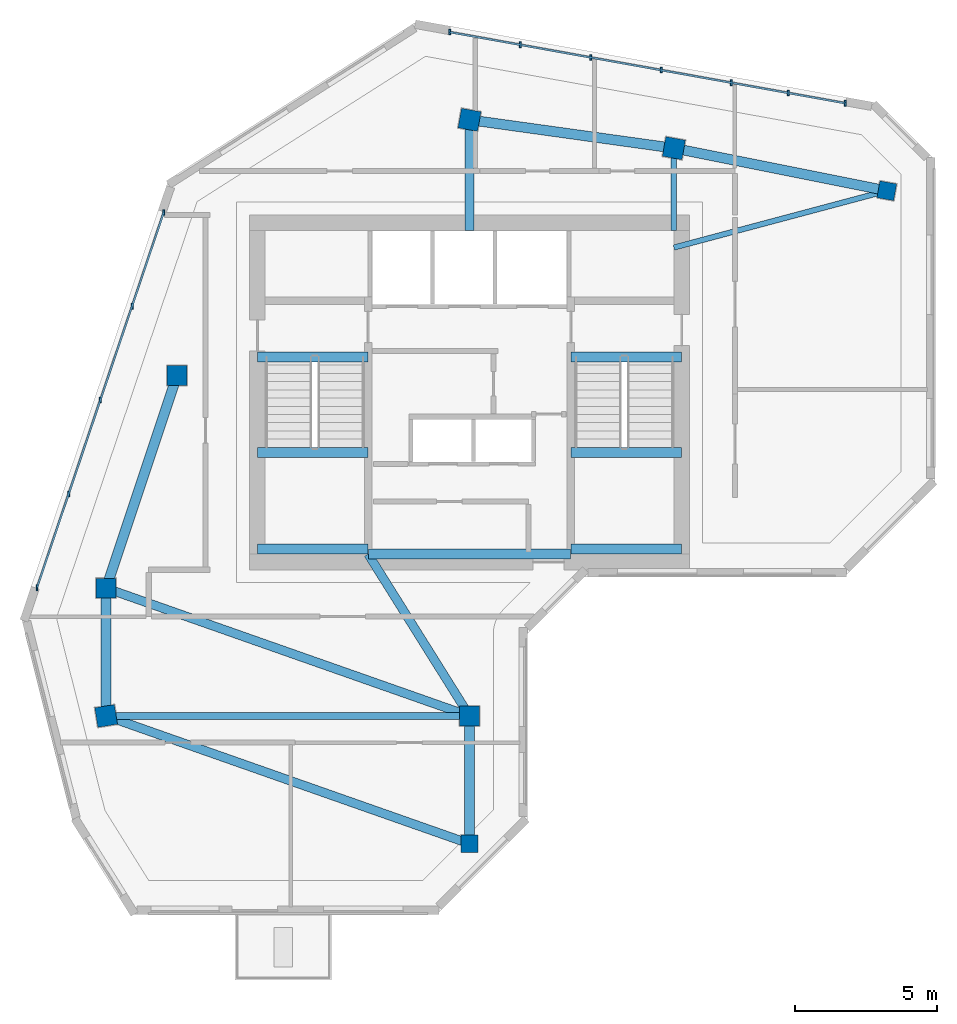
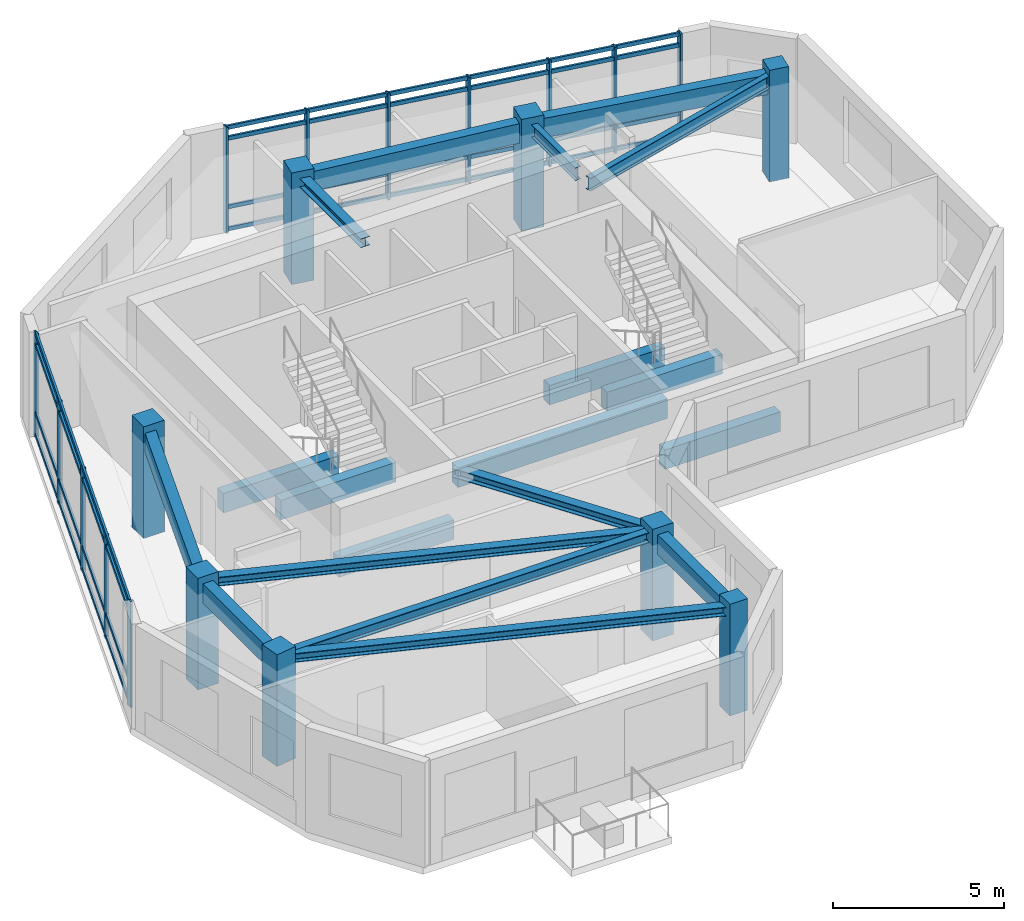
# One storey, part 1 of 8: 20 members, 19 beams, 8 columns, 2 elements without a shape of their own.
"""IFC4 building model written with IfcOpenShell, lengths in metres."""

from ifc_helpers import new_model, si_unit, direction, frame, origin, origin_2d, place, context, subcontext, project, spatial, rectangle, i_section, extrude, source, transform, mapped, material, material_profile, profile_set, type_object, element, aggregate, save


model = new_model("IFC4")

# Units and contexts
model_context = context("Model", 3, precision=1e-05, world=origin(), true_north=direction((0.0, 1.0)))
body_context = subcontext(model_context, "Body", "Model", "MODEL_VIEW")
ifc_project = project(units=[si_unit("LENGTHUNIT", "METRE"), si_unit("AREAUNIT", "SQUARE_METRE"), si_unit("VOLUMEUNIT", "CUBIC_METRE"), si_unit("PLANEANGLEUNIT", "RADIAN"), si_unit("MASSUNIT", "GRAM", prefix="KILO")], contexts=[model_context])

# Site, building, storey
site_placement = place(None, origin())
site = spatial("IfcSite", under=ifc_project, at=site_placement, CompositionType="ELEMENT")
building_placement = place(site_placement, origin())
building = spatial("IfcBuilding", under=site, at=building_placement, Name="Calvemar Wedge Station Tower", CompositionType="ELEMENT")
storey_placement = place(building_placement, frame((0.0, 0.0, 296.5)))
storey = spatial("IfcBuildingStorey", under=building, at=storey_placement, Name="L76", CompositionType="ELEMENT", Elevation=296.5)

# Columns
ifc_material_1 = material(Name="Concrete C50", Category="concrete")
ifc_material_profile_1 = material_profile(ifc_material_1, rectangle(XDim=0.699951171875, YDim=0.699951171875, at=origin_2d()), Name="RC700x700")
ifc_profile_set_1 = profile_set([ifc_material_profile_1], Name="Concrete C50")
column_type_1 = type_object("IfcColumnType", Name="COL-C7-700", PredefinedType="COLUMN", material=ifc_profile_set_1)
shared_shape_1 = source(origin(), body_context, "Body", "SweptSolid", [
    extrude(rectangle(XDim=0.699951171875, YDim=0.699951171875, at=origin_2d()), origin(), (0.0, 0.0, 1.0), 4.0),
])
for number, where, z_axis, x_axis, name in (
    (1, (11.0, 33.0, 0.0), (0.0, 0.0, 1.0), (1.0, 0.0, 0.0), "Storey L76 Column T-NW1"),
    (2, (13.5, 40.5, 0.0), (0.0, 0.0, 1.0), (1.0, 0.0, 0.0), "Storey L76 Column T-NW2"),
    (3, (23.800048828125, 49.5, 0.0), (0.0, 0.0, 1.0), (0.984195607969, -0.17708474032, 0.0), "Storey L76 Column T-N1"),
    (4, (31.0, 48.5, 0.0), (0.0, 0.0, 1.0), (0.984195607969, -0.17708474032, 0.0), "Storey L76 Column T-N2"),
    (5, (11.0, 28.5, 0.0), (0.0, 0.0, 1.0), (0.158158067254, -0.987413806751, 0.0), "Storey L76 Column T-SW1"),
    (6, (23.800048828125, 28.5, 0.0), (0.0, 0.0, 1.0), (1.0, 0.0, 0.0), "Storey L76 Column T-SE1"),
):
    element("IfcColumn", number, at=place(storey_placement, frame(where, z_axis=z_axis, x_axis=x_axis)), inside=storey, type_object=column_type_1, Name=name, PredefinedType="COLUMN", context=body_context, shape_type="MappedRepresentation", body=[
        mapped(shared_shape_1, transform((0.0, 0.0, 0.0), scale=1.0)),
    ])
ifc_material_profile_2 = material_profile(ifc_material_1, rectangle(XDim=0.60009765625, YDim=0.60009765625, at=origin_2d()), Name="RC600x600")
ifc_profile_set_2 = profile_set([ifc_material_profile_2], Name="Concrete C50")
column_type_2 = type_object("IfcColumnType", Name="COL-C8-600", PredefinedType="COLUMN", material=ifc_profile_set_2)
shared_shape_2 = source(origin(), body_context, "Body", "SweptSolid", [
    extrude(rectangle(XDim=0.60009765625, YDim=0.60009765625, at=origin_2d()), origin(), (0.0, 0.0, 1.0), 4.0),
])
for number, where, z_axis, x_axis, name in (
    (7, (38.5, 47.0, 0.0), (0.0, 0.0, 1.0), (0.984195607969, -0.17708474032, 0.0), "Storey L76 Column T-NU3"),
    (8, (23.800048828125, 24.0, 0.0), (0.0, 0.0, 1.0), (1.0, 0.0, 0.0), "Storey L76 Column T-SE2"),
):
    element("IfcColumn", number, at=place(storey_placement, frame(where, z_axis=z_axis, x_axis=x_axis)), inside=storey, type_object=column_type_2, Name=name, PredefinedType="COLUMN", context=body_context, shape_type="MappedRepresentation", body=[
        mapped(shared_shape_2, transform((0.0, 0.0, 0.0), scale=1.0)),
    ])

# Beams
ifc_material_2 = material(Name="Concrete C70", Category="concrete")
ifc_material_profile_3 = material_profile(ifc_material_2, rectangle(XDim=0.35009765625, YDim=0.699951171875, at=origin_2d()), Name="RC350x700")
ifc_profile_set_3 = profile_set([ifc_material_profile_3], Name="Concrete C70")
beam_type_1 = type_object("IfcBeamType", Name="BM-LN1-700", PredefinedType="LINTEL", material=ifc_profile_set_3)
shared_shape_3 = source(origin(), body_context, "Body", "SweptSolid", [
    extrude(rectangle(XDim=0.35009765625, YDim=0.699951171875, at=origin_2d()), origin(), (0.0, 0.0, 1.0), 7.10009765625),
])
beam_1_placement = place(storey_placement, frame((20.25, 34.199951171875, 3.39990234375), z_axis=(1.0, 0.0, 0.0), x_axis=(0.0, 1.0, 0.0)))
element("IfcBeam", 9, at=beam_1_placement, inside=storey, type_object=beam_type_1, Name="Storey L76 Core Coupling Lintel South", PredefinedType="LINTEL", context=body_context, shape_type="MappedRepresentation", body=[
    mapped(shared_shape_3, transform((0.0, 0.0, 0.0), scale=1.0)),
])
ifc_material_3 = material(Name="Structural steel ASTM A572 Grade 50", Category="steel")
ifc_material_profile_4 = material_profile(ifc_material_3, i_section(OverallWidth=0.30908203125, OverallDepth=0.322998046875, WebThickness=0.013916015625, FlangeThickness=0.02294921875, FilletRadius=0.014892578125, at=origin_2d()), Name="W310x143")
ifc_profile_set_4 = profile_set([ifc_material_profile_4], Name="Structural steel ASTM A572 Grade 50")
beam_type_2 = type_object("IfcBeamType", Name="BM-J5-W310H", PredefinedType="JOIST", material=ifc_profile_set_4)
shared_shape_4 = source(origin(), body_context, "Body", "SweptSolid", [
    extrude(i_section(OverallWidth=0.30908203125, OverallDepth=0.322998046875, WebThickness=0.013916015625, FlangeThickness=0.02294921875, FilletRadius=0.014892578125, at=origin_2d()), origin(), (0.0, 0.0, 1.0), 13.568115234375),
])
for number, where, z_axis, x_axis, name in (
    (10, (11.0, 33.0, 3.58837890625), (0.943398221169, -0.331662171939, 0.0), (0.331662171939, 0.943398221169, 0.0), "Storey L76 Floor Beam T-NW1-T-SE1"),
    (11, (11.0, 28.5, 3.58837890625), (0.943398221169, -0.331662171939, 0.0), (0.331662171939, 0.943398221169, 0.0), "Storey L76 Floor Beam T-SW1-T-SE2"),
):
    element("IfcBeam", number, at=place(storey_placement, frame(where, z_axis=z_axis, x_axis=x_axis)), inside=storey, type_object=beam_type_2, Name=name, PredefinedType="JOIST", context=body_context, shape_type="MappedRepresentation", body=[
        mapped(shared_shape_4, transform((0.0, 0.0, 0.0), scale=1.0)),
    ])
ifc_material_profile_5 = material_profile(ifc_material_3, i_section(OverallWidth=0.19189453125, OverallDepth=0.462890625, WebThickness=0.010498046875, FlangeThickness=0.017578125, FilletRadius=0.012939453125, at=origin_2d()), Name="W460x89")
ifc_profile_set_5 = profile_set([ifc_material_profile_5], Name="Structural steel ASTM A572 Grade 50")
beam_type_3 = type_object("IfcBeamType", Name="BM-J1-W460", PredefinedType="JOIST", material=ifc_profile_set_5)
shared_shape_5 = source(origin(), body_context, "Body", "SweptSolid", [
    extrude(i_section(OverallWidth=0.19189453125, OverallDepth=0.462890625, WebThickness=0.010498046875, FlangeThickness=0.017578125, FilletRadius=0.012939453125, at=origin_2d()), origin(), (0.0, 0.0, 1.0), 7.76220703125),
])
beam_2_placement = place(storey_placement, frame((31.0, 45.0, 3.5185546875), z_axis=(0.966234939601, 0.25766265056, 0.0), x_axis=(-0.25766265056, 0.966234939601, 0.0)))
element("IfcBeam", 12, at=beam_2_placement, inside=storey, type_object=beam_type_3, Name="Storey L76 Core-to-Column Joist CJ-E2", PredefinedType="JOIST", context=body_context, shape_type="MappedRepresentation", body=[
    mapped(shared_shape_5, transform((0.0, 0.0, 0.0), scale=1.0)),
])
shared_shape_6 = source(origin(), body_context, "Body", "SweptSolid", [
    extrude(i_section(OverallWidth=0.30908203125, OverallDepth=0.322998046875, WebThickness=0.013916015625, FlangeThickness=0.02294921875, FilletRadius=0.014892578125, at=origin_2d()), origin(), (0.0, 0.0, 1.0), 3.89990234375),
])
beam_3_placement = place(storey_placement, frame((23.800048828125, 45.60009765625, 3.58837890625), z_axis=(0.0, 1.0, 0.0), x_axis=(-1.0, 0.0, 0.0)))
element("IfcBeam", 13, at=beam_3_placement, inside=storey, type_object=beam_type_2, Name="Storey L76 Core-to-Column Joist CJ-N1", PredefinedType="JOIST", context=body_context, shape_type="MappedRepresentation", body=[
    mapped(shared_shape_6, transform((0.0, 0.0, 0.0), scale=1.0)),
])
shared_shape_7 = source(origin(), body_context, "Body", "SweptSolid", [
    extrude(i_section(OverallWidth=0.19189453125, OverallDepth=0.462890625, WebThickness=0.010498046875, FlangeThickness=0.017578125, FilletRadius=0.012939453125, at=origin_2d()), origin(), (0.0, 0.0, 1.0), 2.89990234375),
])
beam_4_placement = place(storey_placement, frame((31.0, 45.60009765625, 3.5185546875), z_axis=(0.0, 1.0, 0.0), x_axis=(-1.0, 0.0, 0.0)))
element("IfcBeam", 14, at=beam_4_placement, inside=storey, type_object=beam_type_3, Name="Storey L76 Core-to-Column Joist CJ-N2", PredefinedType="JOIST", context=body_context, shape_type="MappedRepresentation", body=[
    mapped(shared_shape_7, transform((0.0, 0.0, 0.0), scale=1.0)),
])
shared_shape_8 = source(origin(), body_context, "Body", "SweptSolid", [
    extrude(i_section(OverallWidth=0.30908203125, OverallDepth=0.322998046875, WebThickness=0.013916015625, FlangeThickness=0.02294921875, FilletRadius=0.014892578125, at=origin_2d()), origin(), (0.0, 0.0, 1.0), 6.7255859375),
])
beam_5_placement = place(storey_placement, frame((20.22998046875, 34.199951171875, 3.58837890625), z_axis=(0.530811158438, -0.847490126242, 0.0), x_axis=(0.847490126242, 0.530811158438, 0.0)))
element("IfcBeam", 15, at=beam_5_placement, inside=storey, type_object=beam_type_2, Name="Storey L76 Core-to-Column Joist CJ-S2", PredefinedType="JOIST", context=body_context, shape_type="MappedRepresentation", body=[
    mapped(shared_shape_8, transform((0.0, 0.0, 0.0), scale=1.0)),
])
ifc_material_profile_6 = material_profile(ifc_material_1, rectangle(XDim=0.35009765625, YDim=0.699951171875, at=origin_2d()), Name="RC350x700")
ifc_profile_set_6 = profile_set([ifc_material_profile_6], Name="Concrete C50")
beam_type_4 = type_object("IfcBeamType", Name="BM-SP2-700", PredefinedType="SPANDREL", material=ifc_profile_set_6)
shared_shape_9 = source(origin(), body_context, "Body", "SweptSolid", [
    extrude(rectangle(XDim=0.35009765625, YDim=0.699951171875, at=origin_2d()), origin(), (0.0, 0.0, 1.0), 7.90576171875),
])
beam_6_placement = place(storey_placement, frame((11.0, 33.0, 3.39990234375), z_axis=(0.316227766017, 0.948683298051, 0.0), x_axis=(-0.948683298051, 0.316227766017, 0.0)))
element("IfcBeam", 16, at=beam_6_placement, inside=storey, type_object=beam_type_4, Name="Storey L76 Spandrel T-NW1-T-NW2", PredefinedType="SPANDREL", context=body_context, shape_type="MappedRepresentation", body=[
    mapped(shared_shape_9, transform((0.0, 0.0, 0.0), scale=1.0)),
])
shared_shape_10 = source(origin(), body_context, "Body", "SweptSolid", [
    extrude(rectangle(XDim=0.35009765625, YDim=0.699951171875, at=origin_2d()), origin(), (0.0, 0.0, 1.0), 7.26904296875),
])
beam_7_placement = place(storey_placement, frame((23.800048828125, 49.5, 3.39990234375), z_axis=(0.990492146053, -0.13756928657, 0.0), x_axis=(0.13756928657, 0.990492146053, 0.0)))
element("IfcBeam", 17, at=beam_7_placement, inside=storey, type_object=beam_type_4, Name="Storey L76 Spandrel T-N1-T-N2", PredefinedType="SPANDREL", context=body_context, shape_type="MappedRepresentation", body=[
    mapped(shared_shape_10, transform((0.0, 0.0, 0.0), scale=1.0)),
])
shared_shape_11 = source(origin(), body_context, "Body", "SweptSolid", [
    extrude(rectangle(XDim=0.35009765625, YDim=0.699951171875, at=origin_2d()), origin(), (0.0, 0.0, 1.0), 7.6484375),
])
beam_8_placement = place(storey_placement, frame((31.0, 48.5, 3.39990234375), z_axis=(0.980580675691, -0.196116135138, 0.0), x_axis=(0.196116135138, 0.980580675691, 0.0)))
element("IfcBeam", 18, at=beam_8_placement, inside=storey, type_object=beam_type_4, Name="Storey L76 Spandrel T-N2-T-NU3", PredefinedType="SPANDREL", context=body_context, shape_type="MappedRepresentation", body=[
    mapped(shared_shape_11, transform((0.0, 0.0, 0.0), scale=1.0)),
])
shared_shape_12 = source(origin(), body_context, "Body", "SweptSolid", [
    extrude(rectangle(XDim=0.35009765625, YDim=0.699951171875, at=origin_2d()), origin(), (0.0, 0.0, 1.0), 4.5),
])
for number, where, z_axis, x_axis, name in (
    (19, (11.0, 33.0, 3.39990234375), (0.0, -1.0, 0.0), (1.0, 0.0, 0.0), "Storey L76 Spandrel T-NW1-T-SW1"),
    (20, (23.800048828125, 28.5, 3.39990234375), (0.0, -1.0, 0.0), (1.0, 0.0, 0.0), "Storey L76 Spandrel T-SE1-T-SE2"),
):
    element("IfcBeam", number, at=place(storey_placement, frame(where, z_axis=z_axis, x_axis=x_axis)), inside=storey, type_object=beam_type_4, Name=name, PredefinedType="SPANDREL", context=body_context, shape_type="MappedRepresentation", body=[
        mapped(shared_shape_12, transform((0.0, 0.0, 0.0), scale=1.0)),
    ])
shared_shape_13 = source(origin(), body_context, "Body", "SweptSolid", [
    extrude(rectangle(XDim=0.35009765625, YDim=0.699951171875, at=origin_2d()), origin(), (0.0, 0.0, 1.0), 3.905029296875),
])
for number, where, z_axis, x_axis, name in (
    (21, (16.324951171875, 41.14990234375, -0.35009765625), (1.0, 0.0, 0.0), (0.0, 1.0, 0.0), "Storey L76 Stair ST-C1 Landing Trimmer Beam"),
    (22, (16.324951171875, 34.3798828125, 1.449951171875), (1.0, 0.0, 0.0), (0.0, 1.0, 0.0), "Storey L76 Stair ST-C1 Half-Landing Beam 1A"),
    (23, (16.324951171875, 37.780029296875, 1.449951171875), (1.0, 0.0, 0.0), (0.0, 1.0, 0.0), "Storey L76 Stair ST-C1 Half-Landing Beam 1B"),
):
    element("IfcBeam", number, at=place(storey_placement, frame(where, z_axis=z_axis, x_axis=x_axis)), inside=storey, type_object=beam_type_1, Name=name, PredefinedType="LINTEL", context=body_context, shape_type="MappedRepresentation", body=[
        mapped(shared_shape_13, transform((0.0, 0.0, 0.0), scale=1.0)),
    ])
shared_shape_14 = source(origin(), body_context, "Body", "SweptSolid", [
    extrude(rectangle(XDim=0.35009765625, YDim=0.699951171875, at=origin_2d()), origin(), (0.0, 0.0, 1.0), 3.90478515625),
])
for number, where, z_axis, x_axis, name in (
    (24, (27.3701171875, 41.14990234375, -0.35009765625), (1.0, 0.0, 0.0), (0.0, 1.0, 0.0), "Storey L76 Stair ST-C2 Landing Trimmer Beam"),
    (25, (27.3701171875, 34.3798828125, 1.449951171875), (1.0, 0.0, 0.0), (0.0, 1.0, 0.0), "Storey L76 Stair ST-C2 Half-Landing Beam 1A"),
    (26, (27.3701171875, 37.780029296875, 1.449951171875), (1.0, 0.0, 0.0), (0.0, 1.0, 0.0), "Storey L76 Stair ST-C2 Half-Landing Beam 1B"),
):
    element("IfcBeam", number, at=place(storey_placement, frame(where, z_axis=z_axis, x_axis=x_axis)), inside=storey, type_object=beam_type_1, Name=name, PredefinedType="LINTEL", context=body_context, shape_type="MappedRepresentation", body=[
        mapped(shared_shape_14, transform((0.0, 0.0, 0.0), scale=1.0)),
    ])
ifc_material_profile_7 = material_profile(ifc_material_3, i_section(OverallWidth=0.257080078125, OverallDepth=0.363037109375, WebThickness=0.012939453125, FlangeThickness=0.021728515625, FilletRadius=0.014892578125, at=origin_2d()), Name="W360x122")
ifc_profile_set_7 = profile_set([ifc_material_profile_7], Name="Structural steel ASTM A572 Grade 50")
beam_type_5 = type_object("IfcBeamType", Name="BM-J4-W360", PredefinedType="JOIST", material=ifc_profile_set_7)
shared_shape_15 = source(origin(), body_context, "Body", "SweptSolid", [
    extrude(i_section(OverallWidth=0.257080078125, OverallDepth=0.363037109375, WebThickness=0.012939453125, FlangeThickness=0.021728515625, FilletRadius=0.014892578125, at=origin_2d()), origin(), (0.0, 0.0, 1.0), 12.800048828125),
])
beam_9_placement = place(storey_placement, frame((11.0, 28.5, 3.568603515625), z_axis=(1.0, 0.0, 0.0), x_axis=(0.0, 1.0, 0.0)))
element("IfcBeam", 27, at=beam_9_placement, inside=storey, type_object=beam_type_5, Name="Storey L76 Floor Beam T-SW1-T-SE1", PredefinedType="JOIST", context=body_context, shape_type="MappedRepresentation", body=[
    mapped(shared_shape_15, transform((0.0, 0.0, 0.0), scale=1.0)),
])

# Curtain wall, members
ifc_material_4 = material(Name="Anodised aluminium 6063-T6", Category="aluminium")
curtain_wall_type = type_object("IfcCurtainWallType", Name="CW4", PredefinedType="NOTDEFINED", material=ifc_material_4)
curtain_wall_1_placement = place(storey_placement, origin())
curtain_wall_1 = element("IfcCurtainWall", 28, at=curtain_wall_1_placement, inside=storey, type_object=curtain_wall_type, Name="Storey L76 CW4 Recessed Unitised Curtain Wall 10", PredefinedType="NOTDEFINED")
ifc_material_profile_8 = material_profile(ifc_material_4, rectangle(XDim=0.070068359375, YDim=0.139892578125, at=origin_2d()), Name="AL-TRN-70x140")
ifc_profile_set_8 = profile_set([ifc_material_profile_8], Name="Anodised aluminium 6063-T6")
member_type_1 = type_object("IfcMemberType", Name="CW4-TRN", PredefinedType="USERDEFINED", material=ifc_profile_set_8)
shared_shape_16 = source(origin(), body_context, "Body", "SweptSolid", [
    extrude(rectangle(XDim=0.070068359375, YDim=0.139892578125, at=origin_2d()), origin(), (0.0, 0.0, 1.0), 14.154296875),
])
member_1_placement = place(storey_placement, frame((37.033935546875, 50.084228515625, 0.06005859375), z_axis=(-0.984225338595, 0.17691942479, 0.0), x_axis=(-0.17691942479, -0.984225338595, 0.0)))
member_1 = element("IfcMember", 29, at=member_1_placement, type_object=member_type_1, Name="CW4 transom 1", ObjectType="TRANSOM", PredefinedType="USERDEFINED", context=body_context, shape_type="MappedRepresentation", body=[
    mapped(shared_shape_16, transform((0.0, 0.0, 0.0), scale=1.0)),
])
member_2_placement = place(storey_placement, frame((37.033935546875, 50.084228515625, 0.85009765625), z_axis=(-0.984225338595, 0.17691942479, 0.0), x_axis=(-0.17691942479, -0.984225338595, 0.0)))
member_2 = element("IfcMember", 30, at=member_2_placement, type_object=member_type_1, Name="CW4 transom 2", ObjectType="TRANSOM", PredefinedType="USERDEFINED", context=body_context, shape_type="MappedRepresentation", body=[
    mapped(shared_shape_16, transform((0.0, 0.0, 0.0), scale=1.0)),
])
member_3_placement = place(storey_placement, frame((37.033935546875, 50.084228515625, 3.300048828125), z_axis=(-0.984225338595, 0.17691942479, 0.0), x_axis=(-0.17691942479, -0.984225338595, 0.0)))
member_3 = element("IfcMember", 31, at=member_3_placement, type_object=member_type_1, Name="CW4 transom 3", ObjectType="TRANSOM", PredefinedType="USERDEFINED", context=body_context, shape_type="MappedRepresentation", body=[
    mapped(shared_shape_16, transform((0.0, 0.0, 0.0), scale=1.0)),
])
member_4_placement = place(storey_placement, frame((37.033935546875, 50.084228515625, 3.68994140625), z_axis=(-0.984225338595, 0.17691942479, 0.0), x_axis=(-0.17691942479, -0.984225338595, 0.0)))
member_4 = element("IfcMember", 32, at=member_4_placement, type_object=member_type_1, Name="CW4 transom 4", ObjectType="TRANSOM", PredefinedType="USERDEFINED", context=body_context, shape_type="MappedRepresentation", body=[
    mapped(shared_shape_16, transform((0.0, 0.0, 0.0), scale=1.0)),
])

curtain_wall_2_placement = place(storey_placement, origin())
curtain_wall_2 = element("IfcCurtainWall", 33, at=curtain_wall_2_placement, inside=storey, type_object=curtain_wall_type, Name="Storey L76 CW4 Recessed Unitised Curtain Wall 12", PredefinedType="NOTDEFINED")
shared_shape_17 = source(origin(), body_context, "Body", "SweptSolid", [
    extrude(rectangle(XDim=0.070068359375, YDim=0.139892578125, at=origin_2d()), origin(), (0.0, 0.0, 1.0), 13.95703125),
])
member_5_placement = place(storey_placement, frame((13.030029296875, 46.240478515625, 0.06005859375), z_axis=(-0.319914475782, -0.947446424968, 0.0), x_axis=(0.947446424968, -0.319914475782, 0.0)))
member_5 = element("IfcMember", 34, at=member_5_placement, type_object=member_type_1, Name="CW4 transom 1", ObjectType="TRANSOM", PredefinedType="USERDEFINED", context=body_context, shape_type="MappedRepresentation", body=[
    mapped(shared_shape_17, transform((0.0, 0.0, 0.0), scale=1.0)),
])
member_6_placement = place(storey_placement, frame((13.030029296875, 46.240478515625, 0.85009765625), z_axis=(-0.319914475782, -0.947446424968, 0.0), x_axis=(0.947446424968, -0.319914475782, 0.0)))
member_6 = element("IfcMember", 35, at=member_6_placement, type_object=member_type_1, Name="CW4 transom 2", ObjectType="TRANSOM", PredefinedType="USERDEFINED", context=body_context, shape_type="MappedRepresentation", body=[
    mapped(shared_shape_17, transform((0.0, 0.0, 0.0), scale=1.0)),
])
member_7_placement = place(storey_placement, frame((13.030029296875, 46.240478515625, 3.300048828125), z_axis=(-0.319914475782, -0.947446424968, 0.0), x_axis=(0.947446424968, -0.319914475782, 0.0)))
member_7 = element("IfcMember", 36, at=member_7_placement, type_object=member_type_1, Name="CW4 transom 3", ObjectType="TRANSOM", PredefinedType="USERDEFINED", context=body_context, shape_type="MappedRepresentation", body=[
    mapped(shared_shape_17, transform((0.0, 0.0, 0.0), scale=1.0)),
])
member_8_placement = place(storey_placement, frame((13.030029296875, 46.240478515625, 3.68994140625), z_axis=(-0.319914475782, -0.947446424968, 0.0), x_axis=(0.947446424968, -0.319914475782, 0.0)))
member_8 = element("IfcMember", 37, at=member_8_placement, type_object=member_type_1, Name="CW4 transom 4", ObjectType="TRANSOM", PredefinedType="USERDEFINED", context=body_context, shape_type="MappedRepresentation", body=[
    mapped(shared_shape_17, transform((0.0, 0.0, 0.0), scale=1.0)),
])

# Member
ifc_material_profile_9 = material_profile(ifc_material_4, rectangle(XDim=0.070068359375, YDim=0.199951171875, at=origin_2d()), Name="AL-MUL-70x200")
ifc_profile_set_9 = profile_set([ifc_material_profile_9], Name="Anodised aluminium 6063-T6")
member_type_2 = type_object("IfcMemberType", Name="CW4-MUL", PredefinedType="MULLION", material=ifc_profile_set_9)
shared_shape_18 = source(origin(), body_context, "Body", "SweptSolid", [
    extrude(rectangle(XDim=0.070068359375, YDim=0.199951171875, at=origin_2d()), origin(), (0.0, 0.0, 1.0), 3.800048828125),
])
member_9_placement = place(storey_placement, frame((37.033935546875, 50.084228515625, -0.050048828125), z_axis=(0.0, 0.0, 1.0), x_axis=(1.0, 0.0, 0.0)))
member_9 = element("IfcMember", 38, at=member_9_placement, type_object=member_type_2, Name="CW4 mullion 1", PredefinedType="MULLION", context=body_context, shape_type="MappedRepresentation", body=[
    mapped(shared_shape_18, transform((0.0, 0.0, 0.0), scale=1.0)),
])

member_10_placement = place(storey_placement, frame((35.02783203125, 50.44482421875, -0.050048828125), z_axis=(0.0, 0.0, 1.0), x_axis=(1.0, 0.0, 0.0)))
member_10 = element("IfcMember", 39, at=member_10_placement, type_object=member_type_2, Name="CW4 mullion 2", PredefinedType="MULLION", context=body_context, shape_type="MappedRepresentation", body=[
    mapped(shared_shape_18, transform((0.0, 0.0, 0.0), scale=1.0)),
])

member_11_placement = place(storey_placement, frame((33.02197265625, 50.805419921875, -0.050048828125), z_axis=(0.0, 0.0, 1.0), x_axis=(1.0, 0.0, 0.0)))
member_11 = element("IfcMember", 40, at=member_11_placement, type_object=member_type_2, Name="CW4 mullion 3", PredefinedType="MULLION", context=body_context, shape_type="MappedRepresentation", body=[
    mapped(shared_shape_18, transform((0.0, 0.0, 0.0), scale=1.0)),
])

member_12_placement = place(storey_placement, frame((30.546875, 51.250244140625, -0.050048828125), z_axis=(0.0, 0.0, 1.0), x_axis=(1.0, 0.0, 0.0)))
member_12 = element("IfcMember", 41, at=member_12_placement, type_object=member_type_2, Name="CW4 mullion 4", PredefinedType="MULLION", context=body_context, shape_type="MappedRepresentation", body=[
    mapped(shared_shape_18, transform((0.0, 0.0, 0.0), scale=1.0)),
])

member_13_placement = place(storey_placement, frame((28.072021484375, 51.695068359375, -0.050048828125), z_axis=(0.0, 0.0, 1.0), x_axis=(1.0, 0.0, 0.0)))
member_13 = element("IfcMember", 42, at=member_13_placement, type_object=member_type_2, Name="CW4 mullion 5", PredefinedType="MULLION", context=body_context, shape_type="MappedRepresentation", body=[
    mapped(shared_shape_18, transform((0.0, 0.0, 0.0), scale=1.0)),
])

member_14_placement = place(storey_placement, frame((25.587646484375, 52.1416015625, -0.050048828125), z_axis=(0.0, 0.0, 1.0), x_axis=(1.0, 0.0, 0.0)))
member_14 = element("IfcMember", 43, at=member_14_placement, type_object=member_type_2, Name="CW4 mullion 6", PredefinedType="MULLION", context=body_context, shape_type="MappedRepresentation", body=[
    mapped(shared_shape_18, transform((0.0, 0.0, 0.0), scale=1.0)),
])

member_15_placement = place(storey_placement, frame((23.10302734375, 52.58837890625, -0.050048828125), z_axis=(0.0, 0.0, 1.0), x_axis=(1.0, 0.0, 0.0)))
member_15 = element("IfcMember", 44, at=member_15_placement, type_object=member_type_2, Name="CW4 mullion 7", PredefinedType="MULLION", context=body_context, shape_type="MappedRepresentation", body=[
    mapped(shared_shape_18, transform((0.0, 0.0, 0.0), scale=1.0)),
])

aggregate(curtain_wall_1, [member_9, member_10, member_11, member_12, member_13, member_14, member_15, member_1, member_2, member_3, member_4])

member_16_placement = place(storey_placement, frame((13.030029296875, 46.240478515625, -0.050048828125), z_axis=(0.0, 0.0, 1.0), x_axis=(1.0, 0.0, 0.0)))
member_16 = element("IfcMember", 45, at=member_16_placement, type_object=member_type_2, Name="CW4 mullion 1", PredefinedType="MULLION", context=body_context, shape_type="MappedRepresentation", body=[
    mapped(shared_shape_18, transform((0.0, 0.0, 0.0), scale=1.0)),
])

member_17_placement = place(storey_placement, frame((11.913818359375, 42.9345703125, -0.050048828125), z_axis=(0.0, 0.0, 1.0), x_axis=(1.0, 0.0, 0.0)))
member_17 = element("IfcMember", 46, at=member_17_placement, type_object=member_type_2, Name="CW4 mullion 2", PredefinedType="MULLION", context=body_context, shape_type="MappedRepresentation", body=[
    mapped(shared_shape_18, transform((0.0, 0.0, 0.0), scale=1.0)),
])

member_18_placement = place(storey_placement, frame((10.797607421875, 39.628662109375, -0.050048828125), z_axis=(0.0, 0.0, 1.0), x_axis=(1.0, 0.0, 0.0)))
member_18 = element("IfcMember", 47, at=member_18_placement, type_object=member_type_2, Name="CW4 mullion 3", PredefinedType="MULLION", context=body_context, shape_type="MappedRepresentation", body=[
    mapped(shared_shape_18, transform((0.0, 0.0, 0.0), scale=1.0)),
])

member_19_placement = place(storey_placement, frame((9.681396484375, 36.32275390625, -0.050048828125), z_axis=(0.0, 0.0, 1.0), x_axis=(1.0, 0.0, 0.0)))
member_19 = element("IfcMember", 48, at=member_19_placement, type_object=member_type_2, Name="CW4 mullion 4", PredefinedType="MULLION", context=body_context, shape_type="MappedRepresentation", body=[
    mapped(shared_shape_18, transform((0.0, 0.0, 0.0), scale=1.0)),
])

member_20_placement = place(storey_placement, frame((8.56494140625, 33.016845703125, -0.050048828125), z_axis=(0.0, 0.0, 1.0), x_axis=(1.0, 0.0, 0.0)))
member_20 = element("IfcMember", 49, at=member_20_placement, type_object=member_type_2, Name="CW4 mullion 5", PredefinedType="MULLION", context=body_context, shape_type="MappedRepresentation", body=[
    mapped(shared_shape_18, transform((0.0, 0.0, 0.0), scale=1.0)),
])

aggregate(curtain_wall_2, [member_16, member_17, member_18, member_19, member_20, member_5, member_6, member_7, member_8])

save(model, "model.ifc")
